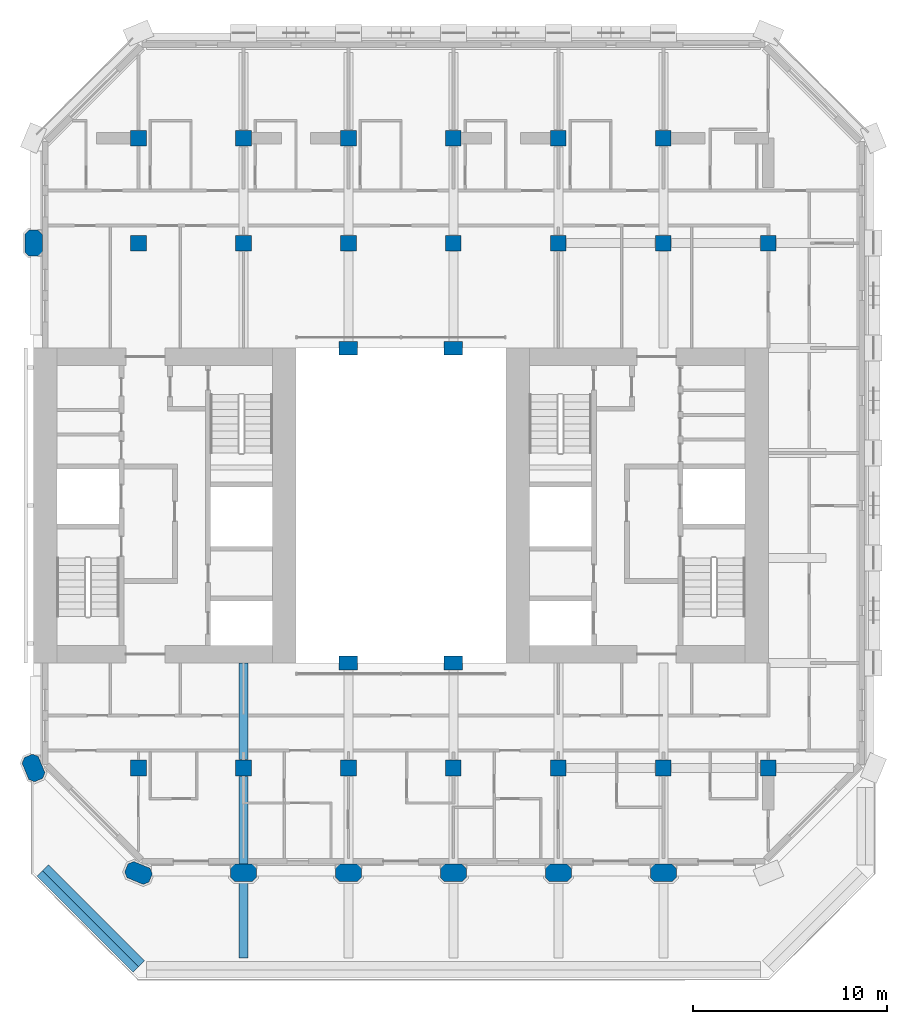
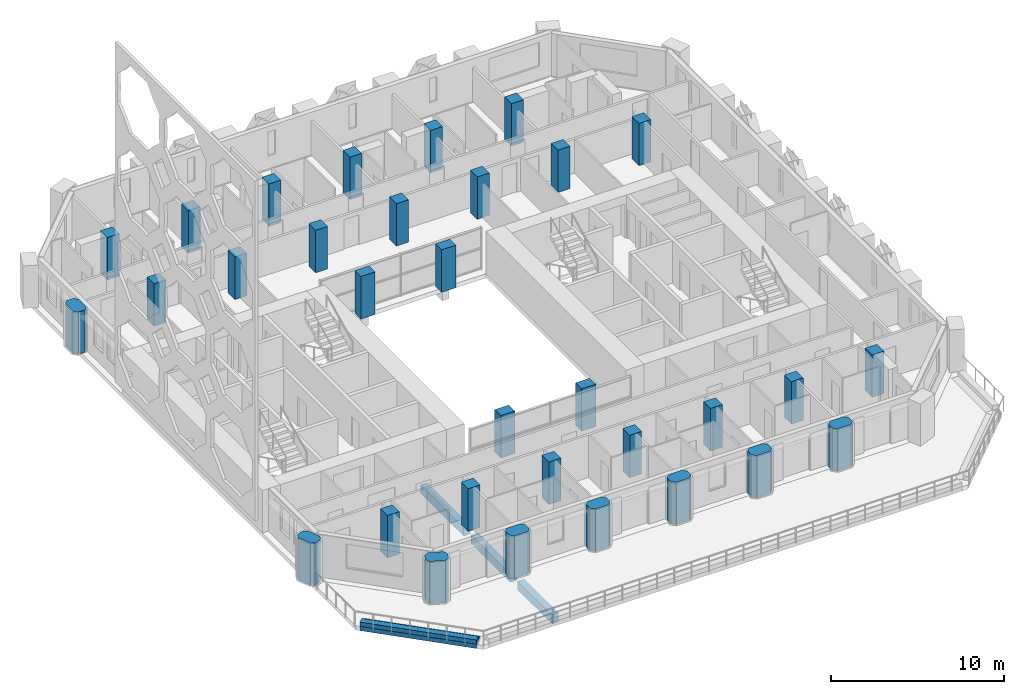
# One storey, part 1 of 17: 32 columns, 5 beams.
"""IFC4 building model written with IfcOpenShell, lengths in metres."""

from ifc_helpers import new_model, si_unit, direction, frame, origin, origin_2d, place, context, subcontext, project, spatial, polyline, rectangle, outline, extrude, material, material_profile, profile_set, type_object, element, save


model = new_model("IFC4")

# Units and contexts
model_context = context("Model", 3, precision=1e-05, world=origin(), true_north=direction((0.0, 1.0)))
body_context = subcontext(model_context, "Body", "Model", "MODEL_VIEW")
ifc_project = project(units=[si_unit("LENGTHUNIT", "METRE"), si_unit("AREAUNIT", "SQUARE_METRE"), si_unit("VOLUMEUNIT", "CUBIC_METRE"), si_unit("PLANEANGLEUNIT", "RADIAN"), si_unit("MASSUNIT", "GRAM", prefix="KILO")], contexts=[model_context])

# Site, building, storey
site_placement = place(None, origin())
site = spatial("IfcSite", under=ifc_project, at=site_placement, CompositionType="ELEMENT")
building_placement = place(site_placement, origin())
building = spatial("IfcBuilding", under=site, at=building_placement, Name="Tabaq Tower and Sports Hall", CompositionType="ELEMENT")
storey_placement = place(building_placement, frame((0.0, 0.0, 180.699951171875)))
storey = spatial("IfcBuildingStorey", under=building, at=storey_placement, Name="L43", CompositionType="ELEMENT", Elevation=180.699951171875)

# Columns
ifc_material_1 = material(Name="Concrete C50/60", Category="concrete")
ifc_material_profile_1 = material_profile(ifc_material_1, rectangle(XDim=0.949951171875, YDim=0.699951171875, at=origin_2d()), Name="ATRIUM COLUMN 950x700")
ifc_profile_set_1 = profile_set([ifc_material_profile_1], Name="Concrete C50/60")
column_type_1 = type_object("IfcColumnType", Name="RC COLUMN ATRIUM COLUMN 950x700 C50/60", PredefinedType="COLUMN", material=ifc_profile_set_1)
for number, where, z_axis, x_axis, name in (
    (1, (21.60009765625, 16.199951171875, 0.0), (0.0, 0.0, 1.0), (1.0, 0.0, 0.0), "Atrium Column 5/D L43"),
    (2, (27.0, 16.199951171875, 0.0), (0.0, 0.0, 1.0), (1.0, 0.0, 0.0), "Atrium Column 6/D L43"),
    (3, (21.60009765625, 32.39990234375, 0.0), (0.0, 0.0, 1.0), (1.0, 0.0, 0.0), "Atrium Column 5/G L43"),
    (4, (27.0, 32.39990234375, 0.0), (0.0, 0.0, 1.0), (1.0, 0.0, 0.0), "Atrium Column 6/G L43"),
):
    element("IfcColumn", number, at=place(storey_placement, frame(where, z_axis=z_axis, x_axis=x_axis)), inside=storey, type_object=column_type_1, Name=name, PredefinedType="COLUMN", context=body_context, shape_type="SweptSolid", body=[
        extrude(rectangle(XDim=0.949951171875, YDim=0.699951171875, at=origin_2d()), origin(), (0.0, 0.0, 1.0), 3.0),
    ])
ifc_material_2 = material(Name="Concrete C50/60", Category="concrete")
ifc_material_profile_2 = material_profile(ifc_material_2, rectangle(XDim=0.800048828125, YDim=0.800048828125, at=origin_2d()), Name="COLUMN 800x800")
ifc_profile_set_2 = profile_set([ifc_material_profile_2], Name="Concrete C50/60")
column_type_2 = type_object("IfcColumnType", Name="RC COLUMN COLUMN 800x800 C50/60", PredefinedType="COLUMN", material=ifc_profile_set_2)
for number, where, z_axis, x_axis, name in (
    (5, (10.800048828125, 10.800048828125, 0.0), (0.0, 0.0, 1.0), (1.0, 0.0, 0.0), "Column 3/C L43"),
    (6, (16.199951171875, 10.800048828125, 0.0), (0.0, 0.0, 1.0), (1.0, 0.0, 0.0), "Column 4/C L43"),
    (7, (21.60009765625, 10.800048828125, 0.0), (0.0, 0.0, 1.0), (1.0, 0.0, 0.0), "Column 5/C L43"),
    (8, (27.0, 10.800048828125, 0.0), (0.0, 0.0, 1.0), (1.0, 0.0, 0.0), "Column 6/C L43"),
    (9, (32.39990234375, 10.800048828125, 0.0), (0.0, 0.0, 1.0), (1.0, 0.0, 0.0), "Column 7/C L43"),
    (10, (37.800048828125, 10.800048828125, 0.0), (0.0, 0.0, 1.0), (1.0, 0.0, 0.0), "Column 8/C L43"),
    (11, (43.199951171875, 10.800048828125, 0.0), (0.0, 0.0, 1.0), (1.0, 0.0, 0.0), "Column 9/C L43"),
    (12, (10.800048828125, 37.800048828125, 0.0), (0.0, 0.0, 1.0), (1.0, 0.0, 0.0), "Column 3/H L43"),
    (13, (16.199951171875, 37.800048828125, 0.0), (0.0, 0.0, 1.0), (1.0, 0.0, 0.0), "Column 4/H L43"),
    (14, (21.60009765625, 37.800048828125, 0.0), (0.0, 0.0, 1.0), (1.0, 0.0, 0.0), "Column 5/H L43"),
    (15, (27.0, 37.800048828125, 0.0), (0.0, 0.0, 1.0), (1.0, 0.0, 0.0), "Column 6/H L43"),
    (16, (32.39990234375, 37.800048828125, 0.0), (0.0, 0.0, 1.0), (1.0, 0.0, 0.0), "Column 7/H L43"),
    (17, (37.800048828125, 37.800048828125, 0.0), (0.0, 0.0, 1.0), (1.0, 0.0, 0.0), "Column 8/H L43"),
    (18, (43.199951171875, 37.800048828125, 0.0), (0.0, 0.0, 1.0), (1.0, 0.0, 0.0), "Column 9/H L43"),
    (19, (10.800048828125, 43.199951171875, 0.0), (0.0, 0.0, 1.0), (1.0, 0.0, 0.0), "Column 3/I L43"),
    (20, (16.199951171875, 43.199951171875, 0.0), (0.0, 0.0, 1.0), (1.0, 0.0, 0.0), "Column 4/I L43"),
    (21, (21.60009765625, 43.199951171875, 0.0), (0.0, 0.0, 1.0), (1.0, 0.0, 0.0), "Column 5/I L43"),
    (22, (27.0, 43.199951171875, 0.0), (0.0, 0.0, 1.0), (1.0, 0.0, 0.0), "Column 6/I L43"),
    (23, (32.39990234375, 43.199951171875, 0.0), (0.0, 0.0, 1.0), (1.0, 0.0, 0.0), "Column 7/I L43"),
    (24, (37.800048828125, 43.199951171875, 0.0), (0.0, 0.0, 1.0), (1.0, 0.0, 0.0), "Column 8/I L43"),
):
    element("IfcColumn", number, at=place(storey_placement, frame(where, z_axis=z_axis, x_axis=x_axis)), inside=storey, type_object=column_type_2, Name=name, PredefinedType="COLUMN", context=body_context, shape_type="SweptSolid", body=[
        extrude(rectangle(XDim=0.800048828125, YDim=0.800048828125, at=origin_2d()), origin(), (0.0, 0.0, 1.0), 3.0),
    ])
ifc_material_3 = material(Name="Concrete C50/60", Category="concrete")
ifc_material_profile_3 = material_profile(ifc_material_3, outline(polyline([(-0.449951171875, -0.449951171875), (0.449951171875, -0.449951171875), (0.675048828125, -0.22509765625), (0.675048828125, 0.22509765625), (0.449951171875, 0.449951171875), (-0.449951171875, 0.449951171875), (-0.675048828125, 0.22509765625), (-0.675048828125, -0.22509765625), (-0.449951171875, -0.449951171875)])), Name="PIER 1350x900")
ifc_profile_set_3 = profile_set([ifc_material_profile_3], Name="Concrete C50/60")
column_type_3 = type_object("IfcColumnType", Name="RC COLUMN PIER 1350x900 C50/60", PredefinedType="COLUMN", material=ifc_profile_set_3)
for number, where, z_axis, x_axis, name in (
    (25, (10.800048828125, 5.39990234375, 0.0), (0.0, 0.0, 1.0), (-0.923879532511, 0.382683432365, 0.0), "Pier 3/B L43"),
    (26, (16.199951171875, 5.39990234375, 0.0), (0.0, 0.0, 1.0), (1.0, 0.0, 0.0), "Pier 4/B L43"),
    (27, (21.60009765625, 5.39990234375, 0.0), (0.0, 0.0, 1.0), (1.0, 0.0, 0.0), "Pier 5/B L43"),
    (28, (27.0, 5.39990234375, 0.0), (0.0, 0.0, 1.0), (1.0, 0.0, 0.0), "Pier 6/B L43"),
    (29, (32.39990234375, 5.39990234375, 0.0), (0.0, 0.0, 1.0), (1.0, 0.0, 0.0), "Pier 7/B L43"),
    (30, (37.800048828125, 5.39990234375, 0.0), (0.0, 0.0, 1.0), (1.0, 0.0, 0.0), "Pier 8/B L43"),
    (31, (5.39990234375, 10.800048828125, 0.0), (0.0, 0.0, 1.0), (-0.382683432365, 0.923879532511, 0.0), "Pier 2/C L43"),
    (32, (5.39990234375, 37.800048828125, 0.0), (0.0, 0.0, 1.0), (0.0, 1.0, 0.0), "Pier 2/H L43"),
):
    element("IfcColumn", number, at=place(storey_placement, frame(where, z_axis=z_axis, x_axis=x_axis)), inside=storey, type_object=column_type_3, Name=name, PredefinedType="COLUMN", context=body_context, shape_type="SweptSolid", body=[
        extrude(outline(polyline([(-0.449951171875, -0.449951171875), (0.449951171875, -0.449951171875), (0.675048828125, -0.22509765625), (0.675048828125, 0.22509765625), (0.449951171875, 0.449951171875), (-0.449951171875, 0.449951171875), (-0.675048828125, 0.22509765625), (-0.675048828125, -0.22509765625), (-0.449951171875, -0.449951171875)])), origin(), (0.0, 0.0, 1.0), 3.0),
    ])

# Beams
ifc_material_4 = material(Name="Concrete C40/50", Category="concrete")
ifc_material_profile_4 = material_profile(ifc_material_4, rectangle(XDim=0.449951171875, YDim=0.60009765625, at=origin_2d()), Name="CB 450x600")
ifc_profile_set_4 = profile_set([ifc_material_profile_4], Name="Concrete C40/50")
beam_type_1 = type_object("IfcBeamType", Name="PT CANTILEVER BEAM CB 450x600 C40/50", PredefinedType="BEAM", material=ifc_profile_set_4)
beam_1_placement = place(storey_placement, frame((16.199951171875, 1.02490234375, -0.599853515625), z_axis=(0.0, 1.0, 0.0), x_axis=(-1.0, 0.0, 0.0)))
element("IfcBeam", 33, at=beam_1_placement, inside=storey, type_object=beam_type_1, Name="Cantilever Beam L43 S3 span 1", PredefinedType="BEAM", context=body_context, shape_type="SweptSolid", body=[
    extrude(rectangle(XDim=0.449951171875, YDim=0.60009765625, at=origin_2d()), origin(), (0.0, 0.0, 1.0), 3.9501953125),
])
beam_2_placement = place(storey_placement, frame((16.199951171875, 5.824951171875, -0.599853515625), z_axis=(0.0, 1.0, 0.0), x_axis=(-1.0, 0.0, 0.0)))
element("IfcBeam", 34, at=beam_2_placement, inside=storey, type_object=beam_type_1, Name="Cantilever Beam L43 S3 span 2", PredefinedType="BEAM", context=body_context, shape_type="SweptSolid", body=[
    extrude(rectangle(XDim=0.449951171875, YDim=0.60009765625, at=origin_2d()), origin(), (0.0, 0.0, 1.0), 4.550048828125),
])
beam_3_placement = place(storey_placement, frame((16.199951171875, 11.22509765625, -0.599853515625), z_axis=(0.0, 1.0, 0.0), x_axis=(-1.0, 0.0, 0.0)))
element("IfcBeam", 35, at=beam_3_placement, inside=storey, type_object=beam_type_1, Name="Cantilever Beam L43 S3 span 3", PredefinedType="BEAM", context=body_context, shape_type="SweptSolid", body=[
    extrude(rectangle(XDim=0.449951171875, YDim=0.60009765625, at=origin_2d()), origin(), (0.0, 0.0, 1.0), 4.974853515625),
])
ifc_material_5 = material(Name="Concrete C40/50", Category="concrete")
ifc_material_profile_5 = material_profile(ifc_material_5, rectangle(XDim=0.85009765625, YDim=0.300048828125, at=origin_2d()), Name="EB 850x300")
ifc_profile_set_5 = profile_set([ifc_material_profile_5], Name="Concrete C40/50")
beam_type_2 = type_object("IfcBeamType", Name="PT EDGE BEAM EB 850x300 C40/50", PredefinedType="SPANDREL", material=ifc_profile_set_5)
beam_4_placement = place(storey_placement, frame((5.877197265625, 5.523681640625, -0.14990234375), z_axis=(0.707106781187, -0.707106781187, 0.0), x_axis=(0.707106781187, 0.707106781187, 0.0)))
element("IfcBeam", 36, at=beam_4_placement, inside=storey, type_object=beam_type_2, Name="Edge Beam L43 7", PredefinedType="SPANDREL", context=body_context, shape_type="SweptSolid", body=[
    extrude(rectangle(XDim=0.85009765625, YDim=0.300048828125, at=origin_2d()), origin(), (0.0, 0.0, 1.0), 6.98486328125),
])
ifc_material_6 = material(Name="Concrete C40/50", Category="concrete")
ifc_material_profile_6 = material_profile(ifc_material_6, rectangle(XDim=0.39990234375, YDim=0.300048828125, at=origin_2d()), Name="EU 400x300")
ifc_profile_set_6 = profile_set([ifc_material_profile_6], Name="Concrete C40/50")
beam_type_3 = type_object("IfcBeamType", Name="PT EDGE UPSTAND EU 400x300 C40/50", PredefinedType="BEAM", material=ifc_profile_set_6)
beam_5_placement = place(storey_placement, frame((5.71826171875, 5.36474609375, 0.150146484375), z_axis=(0.707106781187, -0.707106781187, 0.0), x_axis=(0.707106781187, 0.707106781187, 0.0)))
element("IfcBeam", 37, at=beam_5_placement, inside=storey, type_object=beam_type_3, Name="Edge Upstand L43 7", PredefinedType="BEAM", context=body_context, shape_type="SweptSolid", body=[
    extrude(rectangle(XDim=0.39990234375, YDim=0.300048828125, at=origin_2d()), origin(), (0.0, 0.0, 1.0), 6.98486328125),
])

save(model, "model.ifc")
